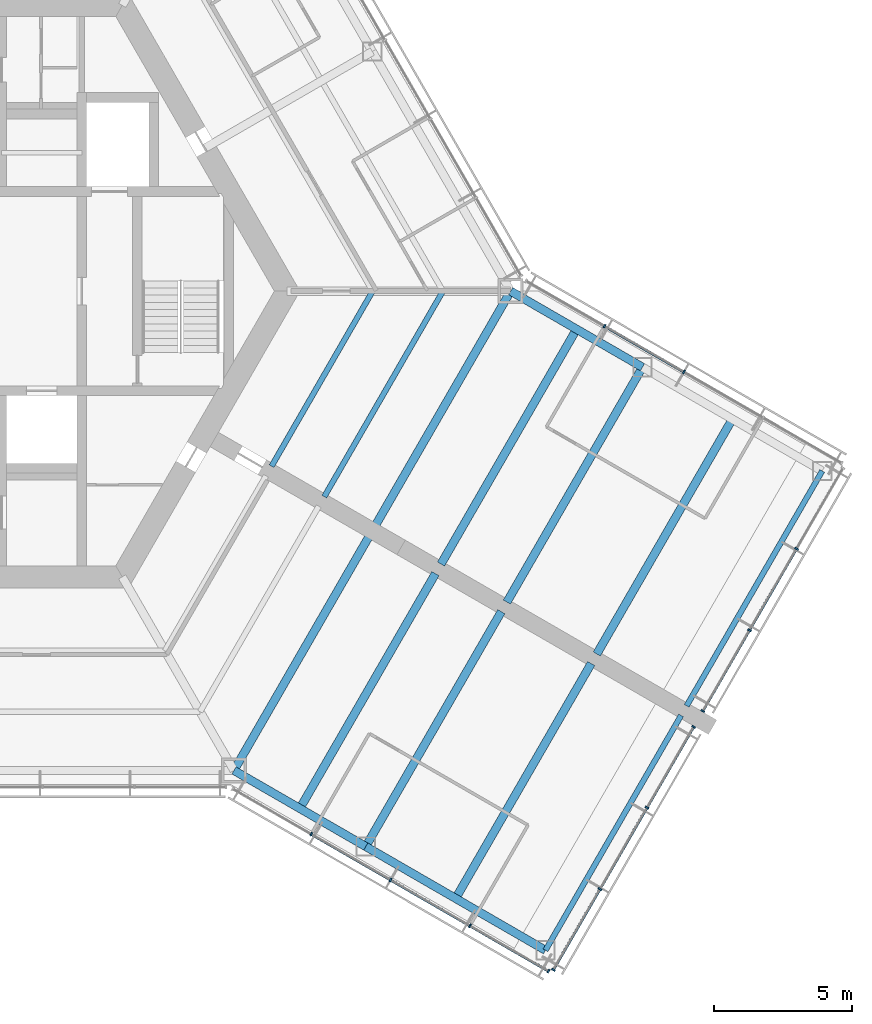
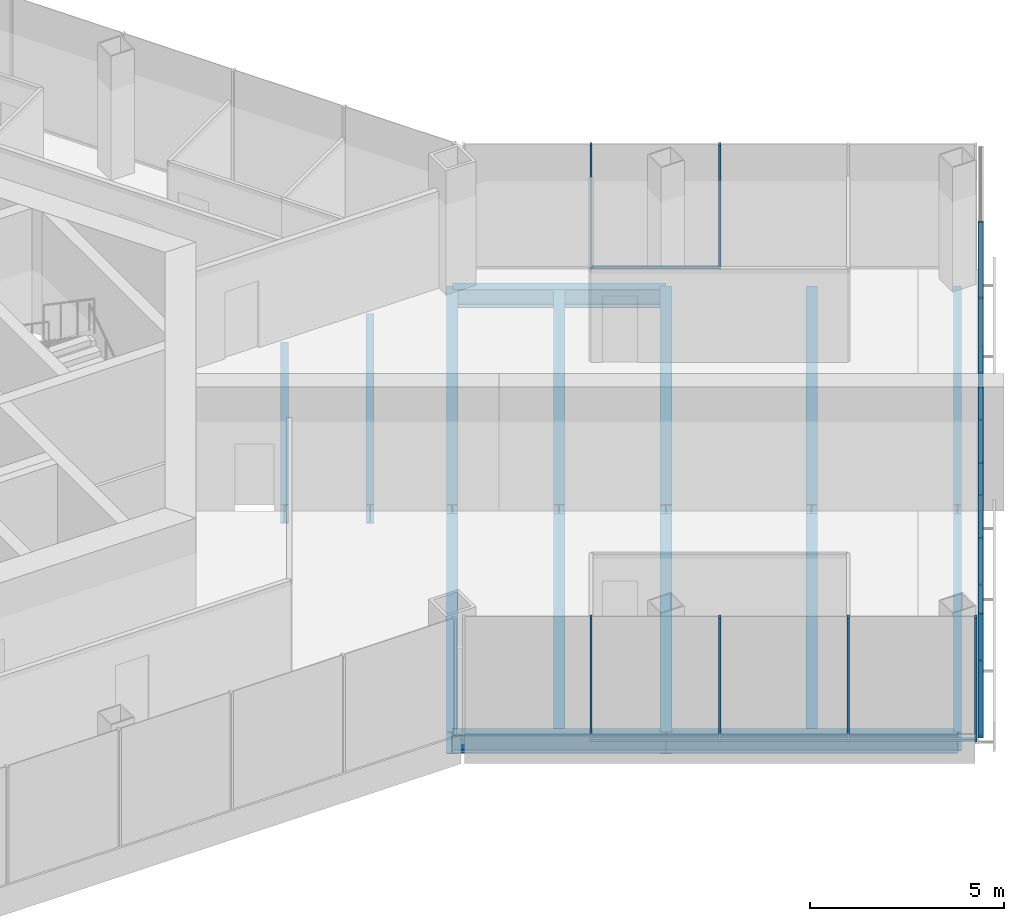
# One storey, part 4 of 15: 22 members, 15 beams, 4 elements without a shape of their own.
"""IFC4 building model written with IfcOpenShell, lengths in metres."""

from ifc_helpers import new_model, si_unit, direction, frame, origin, origin_2d, place, context, subcontext, project, spatial, rectangle, i_section, extrude, material, material_profile, profile_set, type_object, element, aggregate, save


model = new_model("IFC4")

# Units and contexts
model_context = context("Model", 3, precision=1e-05, world=origin(), true_north=direction((0.0, 1.0)))
body_context = subcontext(model_context, "Body", "Model", "MODEL_VIEW")
ifc_project = project(units=[si_unit("LENGTHUNIT", "METRE"), si_unit("AREAUNIT", "SQUARE_METRE"), si_unit("VOLUMEUNIT", "CUBIC_METRE"), si_unit("PLANEANGLEUNIT", "RADIAN"), si_unit("MASSUNIT", "GRAM", prefix="KILO")], contexts=[model_context])

# Site, building, storey
site_placement = place(None, origin())
site = spatial("IfcSite", under=ifc_project, at=site_placement, CompositionType="ELEMENT")
building_placement = place(site_placement, origin())
building = spatial("IfcBuilding", under=site, at=building_placement, Name="Kasaneha Research Tower", CompositionType="ELEMENT")
storey_placement = place(building_placement, frame((0.0, 0.0, 212.800048828125)))
storey = spatial("IfcBuildingStorey", under=building, at=storey_placement, Name="L53", CompositionType="ELEMENT", Elevation=212.800048828125)

# Beams
ifc_material_1 = material(Name="Steel SN490B", Category="steel")
ifc_material_profile_1 = material_profile(ifc_material_1, i_section(OverallWidth=0.199951171875, OverallDepth=0.60009765625, WebThickness=0.010986328125, FlangeThickness=0.01708984375, FilletRadius=0.012939453125, at=origin_2d()), Name="H-600x200x11x17")
ifc_profile_set_1 = profile_set([ifc_material_profile_1], Name="Steel SN490B")
beam_type_1 = type_object("IfcBeamType", Name="B1-3 secondary beam H-600x200x11x17", PredefinedType="JOIST", material=ifc_profile_set_1)
beam_1_placement = place(storey_placement, frame((15.010986328125, 0.0, -0.449951171875), z_axis=(-0.499974128195, -0.866040340363, 0.0), x_axis=(0.866040340363, -0.499974128195, 0.0)))
element("IfcBeam", 1, at=beam_1_placement, inside=storey, type_object=beam_type_1, Name="Secondary beam RS330R1 L53", PredefinedType="JOIST", context=body_context, shape_type="SweptSolid", body=[
    extrude(i_section(OverallWidth=0.199951171875, OverallDepth=0.60009765625, WebThickness=0.010986328125, FlangeThickness=0.01708984375, FilletRadius=0.012939453125, at=origin_2d()), origin(), (0.0, 0.0, 1.0), 7.3056640625),
])
beam_2_placement = place(storey_placement, frame((17.551513671875, 0.0, -0.449951171875), z_axis=(-0.500000102728, -0.866025344474, 0.0), x_axis=(0.866025344474, -0.500000102728, 0.0)))
element("IfcBeam", 2, at=beam_2_placement, inside=storey, type_object=beam_type_1, Name="Secondary beam RS330R2 L53", PredefinedType="JOIST", context=body_context, shape_type="SweptSolid", body=[
    extrude(i_section(OverallWidth=0.199951171875, OverallDepth=0.60009765625, WebThickness=0.010986328125, FlangeThickness=0.01708984375, FilletRadius=0.012939453125, at=origin_2d()), origin(), (0.0, 0.0, 1.0), 8.57568359375),
])
ifc_material_2 = material(Name="Steel SN490B", Category="steel")
ifc_material_profile_2 = material_profile(ifc_material_2, i_section(OverallWidth=0.300048828125, OverallDepth=0.58203125, WebThickness=0.011962890625, FlangeThickness=0.01708984375, FilletRadius=0.012939453125, at=origin_2d()), Name="H-582x300x12x17")
ifc_profile_set_2 = profile_set([ifc_material_profile_2], Name="Steel SN490B")
beam_type_2 = type_object("IfcBeamType", Name="B2-3 secondary beam H-582x300x12x17", PredefinedType="JOIST", material=ifc_profile_set_2)
for number, where, z_axis, x_axis, name in (
    (3, (12.381591796875, -18.695556640625, -0.441162109375), (0.49999201416, 0.866030014362, 0.0), (-0.866030014362, 0.49999201416, 0.0), "Secondary beam WBCP1 L53"),
    (4, (18.0107421875, -21.945556640625, -0.441162109375), (0.49999201416, 0.866030014362, 0.0), (-0.866030014362, 0.49999201416, 0.0), "Secondary beam WBCP2 L53"),
    (5, (22.381591796875, -1.375, -0.441162109375), (-0.49999201416, -0.866030014362, 0.0), (0.866030014362, -0.49999201416, 0.0), "Secondary beam WBCN1 L53"),
    (6, (28.0107421875, -4.625, -0.441162109375), (-0.49999201416, -0.866030014362, 0.0), (0.866030014362, -0.49999201416, 0.0), "Secondary beam WBCN2 L53"),
):
    element("IfcBeam", number, at=place(storey_placement, frame(where, z_axis=z_axis, x_axis=x_axis)), inside=storey, type_object=beam_type_2, Name=name, PredefinedType="JOIST", context=body_context, shape_type="SweptSolid", body=[
        extrude(i_section(OverallWidth=0.300048828125, OverallDepth=0.58203125, WebThickness=0.011962890625, FlangeThickness=0.01708984375, FilletRadius=0.012939453125, at=origin_2d()), origin(), (0.0, 0.0, 1.0), 9.800048828125),
    ])

# Curtain wall, members
ifc_material_3 = material(Name="Glass and aluminium", Category="aluminium")
curtain_wall_type = type_object("IfcCurtainWallType", Name="High-rise office curtain wall", PredefinedType="USERDEFINED", material=ifc_material_3)
curtain_wall_1_placement = place(storey_placement, origin())
curtain_wall_1 = element("IfcCurtainWall", 7, at=curtain_wall_1_placement, inside=storey, type_object=curtain_wall_type, Name="CW-O3 L53 run 06a", ObjectType="UNITISED CURTAIN WALL", PredefinedType="USERDEFINED")
ifc_material_4 = material(Name="Aluminium 6063-T6", Category="aluminium")
ifc_material_profile_3 = material_profile(ifc_material_4, rectangle(XDim=0.06005859375, YDim=0.139892578125, at=origin_2d()), Name="CW-O3 mullion 60x140")
ifc_profile_set_3 = profile_set([ifc_material_profile_3], Name="Aluminium 6063-T6")
member_type_1 = type_object("IfcMemberType", Name="CW-O3 mullion", PredefinedType="MULLION", material=ifc_profile_set_3)
member_1_placement = place(storey_placement, frame((12.792236328125, -19.62548828125, 0.0), z_axis=(0.0, 0.0, 1.0), x_axis=(0.866025411464, -0.499999986699, 0.0)))
member_1 = element("IfcMember", 8, at=member_1_placement, type_object=member_type_1, Name="CW-O3 mullion 2", PredefinedType="MULLION", context=body_context, shape_type="SweptSolid", body=[
    extrude(rectangle(XDim=0.06005859375, YDim=0.139892578125, at=origin_2d()), origin(), (0.0, 0.0, 1.0), 3.89990234375),
])
member_2_placement = place(storey_placement, frame((15.65869140625, -21.2802734375, 0.0), z_axis=(0.0, 0.0, 1.0), x_axis=(0.866025411464, -0.499999986699, 0.0)))
member_2 = element("IfcMember", 9, at=member_2_placement, type_object=member_type_1, Name="CW-O3 mullion 3", PredefinedType="MULLION", context=body_context, shape_type="SweptSolid", body=[
    extrude(rectangle(XDim=0.06005859375, YDim=0.139892578125, at=origin_2d()), origin(), (0.0, 0.0, 1.0), 3.89990234375),
])
member_3_placement = place(storey_placement, frame((18.52490234375, -22.935302734375, 0.0), z_axis=(0.0, 0.0, 1.0), x_axis=(0.866025411464, -0.499999986699, 0.0)))
member_3 = element("IfcMember", 10, at=member_3_placement, type_object=member_type_1, Name="CW-O3 mullion 4", PredefinedType="MULLION", context=body_context, shape_type="SweptSolid", body=[
    extrude(rectangle(XDim=0.06005859375, YDim=0.139892578125, at=origin_2d()), origin(), (0.0, 0.0, 1.0), 3.89990234375),
])
member_4_placement = place(storey_placement, frame((21.365478515625, -24.5751953125, 0.0), z_axis=(0.0, 0.0, 1.0), x_axis=(0.866025411464, -0.499999986699, 0.0)))
member_4 = element("IfcMember", 11, at=member_4_placement, type_object=member_type_1, Name="CW-O3 mullion 5", PredefinedType="MULLION", context=body_context, shape_type="SweptSolid", body=[
    extrude(rectangle(XDim=0.06005859375, YDim=0.139892578125, at=origin_2d()), origin(), (0.0, 0.0, 1.0), 3.89990234375),
])

curtain_wall_2_placement = place(storey_placement, origin())
curtain_wall_2 = element("IfcCurtainWall", 12, at=curtain_wall_2_placement, inside=storey, type_object=curtain_wall_type, Name="CW-O3 L53 run 07a", ObjectType="UNITISED CURTAIN WALL", PredefinedType="USERDEFINED")
member_5_placement = place(storey_placement, frame((21.54296875, -24.527587890625, 0.0), z_axis=(0.0, 0.0, 1.0), x_axis=(0.500000011442, 0.866025397178, 0.0)))
member_5 = element("IfcMember", 13, at=member_5_placement, type_object=member_type_1, Name="CW-O3 mullion 1", PredefinedType="MULLION", context=body_context, shape_type="SweptSolid", body=[
    extrude(rectangle(XDim=0.06005859375, YDim=0.139892578125, at=origin_2d()), origin(), (0.0, 0.0, 1.0), 3.89990234375),
])
member_6_placement = place(storey_placement, frame((23.22802734375, -21.609130859375, 0.0), z_axis=(0.0, 0.0, 1.0), x_axis=(0.500000011442, 0.866025397178, 0.0)))
member_6 = element("IfcMember", 14, at=member_6_placement, type_object=member_type_1, Name="CW-O3 mullion 2", PredefinedType="MULLION", context=body_context, shape_type="SweptSolid", body=[
    extrude(rectangle(XDim=0.06005859375, YDim=0.139892578125, at=origin_2d()), origin(), (0.0, 0.0, 1.0), 3.89990234375),
])
member_7_placement = place(storey_placement, frame((24.927978515625, -18.66455078125, 0.0), z_axis=(0.0, 0.0, 1.0), x_axis=(0.500000011442, 0.866025397178, 0.0)))
member_7 = element("IfcMember", 15, at=member_7_placement, type_object=member_type_1, Name="CW-O3 mullion 3", PredefinedType="MULLION", context=body_context, shape_type="SweptSolid", body=[
    extrude(rectangle(XDim=0.06005859375, YDim=0.139892578125, at=origin_2d()), origin(), (0.0, 0.0, 1.0), 3.89990234375),
])
member_8_placement = place(storey_placement, frame((26.613037109375, -15.74609375, 0.0), z_axis=(0.0, 0.0, 1.0), x_axis=(0.500000011442, 0.866025397178, 0.0)))
member_8 = element("IfcMember", 16, at=member_8_placement, type_object=member_type_1, Name="CW-O3 mullion 4", PredefinedType="MULLION", context=body_context, shape_type="SweptSolid", body=[
    extrude(rectangle(XDim=0.06005859375, YDim=0.139892578125, at=origin_2d()), origin(), (0.0, 0.0, 1.0), 3.89990234375),
])

curtain_wall_3_placement = place(storey_placement, origin())
curtain_wall_3 = element("IfcCurtainWall", 17, at=curtain_wall_3_placement, inside=storey, type_object=curtain_wall_type, Name="CW-O3 L53 run 08a", ObjectType="UNITISED CURTAIN WALL", PredefinedType="USERDEFINED")
member_9_placement = place(storey_placement, frame((26.94287109375, -15.174560546875, 0.0), z_axis=(0.0, 0.0, 1.0), x_axis=(0.500000011442, 0.866025397178, 0.0)))
member_9 = element("IfcMember", 18, at=member_9_placement, type_object=member_type_1, Name="CW-O3 mullion 1", PredefinedType="MULLION", context=body_context, shape_type="SweptSolid", body=[
    extrude(rectangle(XDim=0.06005859375, YDim=0.139892578125, at=origin_2d()), origin(), (0.0, 0.0, 1.0), 3.89990234375),
])
member_10_placement = place(storey_placement, frame((28.6279296875, -12.255859375, 0.0), z_axis=(0.0, 0.0, 1.0), x_axis=(0.500000011442, 0.866025397178, 0.0)))
member_10 = element("IfcMember", 19, at=member_10_placement, type_object=member_type_1, Name="CW-O3 mullion 2", PredefinedType="MULLION", context=body_context, shape_type="SweptSolid", body=[
    extrude(rectangle(XDim=0.06005859375, YDim=0.139892578125, at=origin_2d()), origin(), (0.0, 0.0, 1.0), 3.89990234375),
])
member_11_placement = place(storey_placement, frame((30.327880859375, -9.3115234375, 0.0), z_axis=(0.0, 0.0, 1.0), x_axis=(0.500000011442, 0.866025397178, 0.0)))
member_11 = element("IfcMember", 20, at=member_11_placement, type_object=member_type_1, Name="CW-O3 mullion 3", PredefinedType="MULLION", context=body_context, shape_type="SweptSolid", body=[
    extrude(rectangle(XDim=0.06005859375, YDim=0.139892578125, at=origin_2d()), origin(), (0.0, 0.0, 1.0), 3.89990234375),
])

curtain_wall_4_placement = place(storey_placement, origin())
curtain_wall_4 = element("IfcCurtainWall", 21, at=curtain_wall_4_placement, inside=storey, type_object=curtain_wall_type, Name="CW-O3 L53 run 09a", ObjectType="UNITISED CURTAIN WALL", PredefinedType="USERDEFINED")
member_12_placement = place(storey_placement, frame((26.258544921875, -2.920654296875, 0.0), z_axis=(0.0, 0.0, 1.0), x_axis=(-0.866025411464, 0.499999986699, 0.0)))
member_12 = element("IfcMember", 22, at=member_12_placement, type_object=member_type_1, Name="CW-O3 mullion 3", PredefinedType="MULLION", context=body_context, shape_type="SweptSolid", body=[
    extrude(rectangle(XDim=0.06005859375, YDim=0.139892578125, at=origin_2d()), origin(), (0.0, 0.0, 1.0), 3.89990234375),
])
member_13_placement = place(storey_placement, frame((23.39208984375, -1.265625, 0.0), z_axis=(0.0, 0.0, 1.0), x_axis=(-0.866025411464, 0.499999986699, 0.0)))
member_13 = element("IfcMember", 23, at=member_13_placement, type_object=member_type_1, Name="CW-O3 mullion 4", PredefinedType="MULLION", context=body_context, shape_type="SweptSolid", body=[
    extrude(rectangle(XDim=0.06005859375, YDim=0.139892578125, at=origin_2d()), origin(), (0.0, 0.0, 1.0), 3.89990234375),
])

# Member
ifc_material_5 = material(Name="Aluminium 6063-T6", Category="aluminium")
ifc_material_profile_4 = material_profile(ifc_material_5, rectangle(XDim=0.10009765625, YDim=0.06005859375, at=origin_2d()), Name="CW-O3 transom 100x60")
ifc_profile_set_4 = profile_set([ifc_material_profile_4], Name="Aluminium 6063-T6")
member_type_2 = type_object("IfcMemberType", Name="CW-O3 transom", PredefinedType="USERDEFINED", material=ifc_profile_set_4)
member_14_placement = place(storey_placement, frame((12.818115234375, -19.640380859375, 0.030029296875), z_axis=(0.866015446554, -0.500017246033, 0.0), x_axis=(0.500017246033, 0.866015446554, 0.0)))
member_14 = element("IfcMember", 24, at=member_14_placement, type_object=member_type_2, Name="CW-O3 transom 2", ObjectType="TRANSOM", PredefinedType="USERDEFINED", context=body_context, shape_type="SweptSolid", body=[
    extrude(rectangle(XDim=0.10009765625, YDim=0.06005859375, at=origin_2d()), origin(), (0.0, 0.0, 1.0), 3.25),
])

member_15_placement = place(storey_placement, frame((15.6845703125, -21.29541015625, 0.030029296875), z_axis=(0.86604797581, -0.499960902066, 0.0), x_axis=(0.499960902066, 0.86604797581, 0.0)))
member_15 = element("IfcMember", 25, at=member_15_placement, type_object=member_type_2, Name="CW-O3 transom 3", ObjectType="TRANSOM", PredefinedType="USERDEFINED", context=body_context, shape_type="SweptSolid", body=[
    extrude(rectangle(XDim=0.10009765625, YDim=0.06005859375, at=origin_2d()), origin(), (0.0, 0.0, 1.0), 3.249755859375),
])

member_16_placement = place(storey_placement, frame((18.551025390625, -22.9501953125, 0.030029296875), z_axis=(0.866022692473, -0.500004696101, 0.0), x_axis=(0.500004696101, 0.866022692473, 0.0)))
member_16 = element("IfcMember", 26, at=member_16_placement, type_object=member_type_2, Name="CW-O3 transom 4", ObjectType="TRANSOM", PredefinedType="USERDEFINED", context=body_context, shape_type="SweptSolid", body=[
    extrude(rectangle(XDim=0.10009765625, YDim=0.06005859375, at=origin_2d()), origin(), (0.0, 0.0, 1.0), 3.2197265625),
])

aggregate(curtain_wall_1, [member_1, member_2, member_3, member_4, member_14, member_15, member_16])

member_17_placement = place(storey_placement, frame((21.557861328125, -24.50146484375, 0.030029296875), z_axis=(0.500018282537, 0.866014848099, 0.0), x_axis=(-0.866014848099, 0.500018282537, 0.0)))
member_17 = element("IfcMember", 27, at=member_17_placement, type_object=member_type_2, Name="CW-O3 transom 1", ObjectType="TRANSOM", PredefinedType="USERDEFINED", context=body_context, shape_type="SweptSolid", body=[
    extrude(rectangle(XDim=0.10009765625, YDim=0.06005859375, at=origin_2d()), origin(), (0.0, 0.0, 1.0), 3.31005859375),
])

member_18_placement = place(storey_placement, frame((23.242919921875, -21.5830078125, 0.030029296875), z_axis=(0.499975549825, 0.866039519639, 0.0), x_axis=(-0.866039519639, 0.499975549825, 0.0)))
member_18 = element("IfcMember", 28, at=member_18_placement, type_object=member_type_2, Name="CW-O3 transom 2", ObjectType="TRANSOM", PredefinedType="USERDEFINED", context=body_context, shape_type="SweptSolid", body=[
    extrude(rectangle(XDim=0.10009765625, YDim=0.06005859375, at=origin_2d()), origin(), (0.0, 0.0, 1.0), 3.340087890625),
])

member_19_placement = place(storey_placement, frame((24.94287109375, -18.638671875, 0.030029296875), z_axis=(0.49998634449, 0.866033287653, 0.0), x_axis=(-0.866033287653, 0.49998634449, 0.0)))
member_19 = element("IfcMember", 29, at=member_19_placement, type_object=member_type_2, Name="CW-O3 transom 3", ObjectType="TRANSOM", PredefinedType="USERDEFINED", context=body_context, shape_type="SweptSolid", body=[
    extrude(rectangle(XDim=0.10009765625, YDim=0.06005859375, at=origin_2d()), origin(), (0.0, 0.0, 1.0), 3.31005859375),
])

aggregate(curtain_wall_2, [member_5, member_6, member_7, member_8, member_17, member_18, member_19])

member_20_placement = place(storey_placement, frame((26.9580078125, -15.1484375, 0.030029296875), z_axis=(0.500018282537, 0.866014848099, 0.0), x_axis=(-0.866014848099, 0.500018282537, 0.0)))
member_20 = element("IfcMember", 30, at=member_20_placement, type_object=member_type_2, Name="CW-O3 transom 1", ObjectType="TRANSOM", PredefinedType="USERDEFINED", context=body_context, shape_type="SweptSolid", body=[
    extrude(rectangle(XDim=0.10009765625, YDim=0.06005859375, at=origin_2d()), origin(), (0.0, 0.0, 1.0), 3.31005859375),
])

member_21_placement = place(storey_placement, frame((28.64306640625, -12.22998046875, 0.030029296875), z_axis=(0.499975549825, 0.866039519639, 0.0), x_axis=(-0.866039519639, 0.499975549825, 0.0)))
member_21 = element("IfcMember", 31, at=member_21_placement, type_object=member_type_2, Name="CW-O3 transom 2", ObjectType="TRANSOM", PredefinedType="USERDEFINED", context=body_context, shape_type="SweptSolid", body=[
    extrude(rectangle(XDim=0.10009765625, YDim=0.06005859375, at=origin_2d()), origin(), (0.0, 0.0, 1.0), 3.340087890625),
])

aggregate(curtain_wall_3, [member_9, member_10, member_11, member_20, member_21])

member_22_placement = place(storey_placement, frame((26.232666015625, -2.905517578125, 0.030029296875), z_axis=(-0.86604797581, 0.499960902066, 0.0), x_axis=(-0.499960902066, -0.86604797581, 0.0)))
member_22 = element("IfcMember", 32, at=member_22_placement, type_object=member_type_2, Name="CW-O3 transom 3", ObjectType="TRANSOM", PredefinedType="USERDEFINED", context=body_context, shape_type="SweptSolid", body=[
    extrude(rectangle(XDim=0.10009765625, YDim=0.06005859375, at=origin_2d()), origin(), (0.0, 0.0, 1.0), 3.249755859375),
])

aggregate(curtain_wall_4, [member_12, member_13, member_22])

# Beams
ifc_material_6 = material(Name="Steel SN490B", Category="steel")
ifc_material_profile_5 = material_profile(ifc_material_6, i_section(OverallWidth=0.300048828125, OverallDepth=0.69189453125, WebThickness=0.012939453125, FlangeThickness=0.02001953125, FilletRadius=0.01806640625, at=origin_2d()), Name="H-692x300x13x20")
ifc_profile_set_5 = profile_set([ifc_material_profile_5], Name="Steel SN490B")
beam_type_3 = type_object("IfcBeamType", Name="G3-3 plate edge girder H-692x300x13x20", PredefinedType="BEAM", material=ifc_profile_set_5)
for number, where, z_axis, x_axis, name in (
    (33, (10.0, -17.320556640625, -0.49609375), (0.49999201416, 0.866030014362, 0.0), (-0.866030014362, 0.49999201416, 0.0), "Plate edge girder PECP L53"),
    (34, (20.0, 0.0, -0.49609375), (-0.49999201416, -0.866030014362, 0.0), (0.866030014362, -0.49999201416, 0.0), "Plate edge girder PECN L53"),
):
    element("IfcBeam", number, at=place(storey_placement, frame(where, z_axis=z_axis, x_axis=x_axis)), inside=storey, type_object=beam_type_3, Name=name, PredefinedType="BEAM", context=body_context, shape_type="SweptSolid", body=[
        extrude(i_section(OverallWidth=0.300048828125, OverallDepth=0.69189453125, WebThickness=0.012939453125, FlangeThickness=0.02001953125, FilletRadius=0.01806640625, at=origin_2d()), origin(), (0.0, 0.0, 1.0), 9.800048828125),
    ])
ifc_material_7 = material(Name="Steel SN490B", Category="steel")
ifc_material_profile_6 = material_profile(ifc_material_7, i_section(OverallWidth=0.300048828125, OverallDepth=0.699951171875, WebThickness=0.012939453125, FlangeThickness=0.02392578125, FilletRadius=0.01806640625, at=origin_2d()), Name="H-700x300x13x24")
ifc_profile_set_6 = profile_set([ifc_material_profile_6], Name="Steel SN490B")
beam_type_4 = type_object("IfcBeamType", Name="G4-3 wing girder H-700x300x13x24", PredefinedType="BEAM", material=ifc_profile_set_6)
for number, where, z_axis, x_axis, name in (
    (35, (14.76318359375, -20.070556640625, -0.5), (0.49999201416, 0.866030014362, 0.0), (-0.866030014362, 0.49999201416, 0.0), "Wing girder WGCP L53"),
    (36, (24.76318359375, -2.75, -0.5), (-0.500010698315, -0.866019227021, 0.0), (0.866019227021, -0.500010698315, 0.0), "Wing girder WGCN L53"),
):
    element("IfcBeam", number, at=place(storey_placement, frame(where, z_axis=z_axis, x_axis=x_axis)), inside=storey, type_object=beam_type_4, Name=name, PredefinedType="BEAM", context=body_context, shape_type="SweptSolid", body=[
        extrude(i_section(OverallWidth=0.300048828125, OverallDepth=0.699951171875, WebThickness=0.012939453125, FlangeThickness=0.02392578125, FilletRadius=0.01806640625, at=origin_2d()), origin(), (0.0, 0.0, 1.0), 9.800048828125),
    ])
ifc_material_8 = material(Name="Steel SN490B", Category="steel")
ifc_material_profile_7 = material_profile(ifc_material_8, i_section(OverallWidth=0.300048828125, OverallDepth=0.58203125, WebThickness=0.011962890625, FlangeThickness=0.01708984375, FilletRadius=0.012939453125, at=origin_2d()), Name="H-582x300x12x17")
ifc_profile_set_7 = profile_set([ifc_material_profile_7], Name="Steel SN490B")
beam_type_5 = type_object("IfcBeamType", Name="SB2-3 spandrel beam H-582x300x12x17", PredefinedType="SPANDREL", material=ifc_profile_set_7)
beam_3_placement = place(storey_placement, frame((10.0, -17.320556640625, -0.441162109375), z_axis=(0.866027397988, -0.499996545922, 0.0), x_axis=(0.499996545922, 0.866027397988, 0.0)))
element("IfcBeam", 37, at=beam_3_placement, inside=storey, type_object=beam_type_5, Name="Spandrel beam WSCP1 L53", PredefinedType="SPANDREL", context=body_context, shape_type="SweptSolid", body=[
    extrude(i_section(OverallWidth=0.300048828125, OverallDepth=0.58203125, WebThickness=0.011962890625, FlangeThickness=0.01708984375, FilletRadius=0.012939453125, at=origin_2d()), origin(), (0.0, 0.0, 1.0), 5.5),
])
beam_4_placement = place(storey_placement, frame((14.76318359375, -20.070556640625, -0.441162109375), z_axis=(0.866022959057, -0.500004234368, 0.0), x_axis=(0.500004234368, 0.866022959057, 0.0)))
element("IfcBeam", 38, at=beam_4_placement, inside=storey, type_object=beam_type_5, Name="Spandrel beam WSCP2 L53", PredefinedType="SPANDREL", context=body_context, shape_type="SweptSolid", body=[
    extrude(i_section(OverallWidth=0.300048828125, OverallDepth=0.58203125, WebThickness=0.011962890625, FlangeThickness=0.01708984375, FilletRadius=0.012939453125, at=origin_2d()), origin(), (0.0, 0.0, 1.0), 7.5),
])
beam_5_placement = place(storey_placement, frame((20.0, 0.0, -0.441162109375), z_axis=(0.866027397988, -0.499996545922, 0.0), x_axis=(0.499996545922, 0.866027397988, 0.0)))
element("IfcBeam", 39, at=beam_5_placement, inside=storey, type_object=beam_type_5, Name="Spandrel beam WSCN1 L53", PredefinedType="SPANDREL", context=body_context, shape_type="SweptSolid", body=[
    extrude(i_section(OverallWidth=0.300048828125, OverallDepth=0.58203125, WebThickness=0.011962890625, FlangeThickness=0.01708984375, FilletRadius=0.012939453125, at=origin_2d()), origin(), (0.0, 0.0, 1.0), 5.5),
])
ifc_material_9 = material(Name="Steel SN490B", Category="steel")
ifc_material_profile_8 = material_profile(ifc_material_9, i_section(OverallWidth=0.199951171875, OverallDepth=0.60009765625, WebThickness=0.010986328125, FlangeThickness=0.01708984375, FilletRadius=0.012939453125, at=origin_2d()), Name="H-600x200x11x17")
ifc_profile_set_8 = profile_set([ifc_material_profile_8], Name="Steel SN490B")
beam_type_6 = type_object("IfcBeamType", Name="SB3-3 spandrel beam H-600x200x11x17", PredefinedType="SPANDREL", material=ifc_profile_set_8)
for number, where, z_axis, x_axis, name in (
    (40, (21.25830078125, -23.820556640625, -0.449951171875), (0.500010698315, 0.866019227021, 0.0), (-0.866019227021, 0.500010698315, 0.0), "Spandrel beam WTCP L53"),
    (41, (31.25830078125, -6.5, -0.449951171875), (-0.49999201416, -0.866030014362, 0.0), (0.866030014362, -0.49999201416, 0.0), "Spandrel beam WTCN L53"),
):
    element("IfcBeam", number, at=place(storey_placement, frame(where, z_axis=z_axis, x_axis=x_axis)), inside=storey, type_object=beam_type_6, Name=name, PredefinedType="SPANDREL", context=body_context, shape_type="SweptSolid", body=[
        extrude(i_section(OverallWidth=0.199951171875, OverallDepth=0.60009765625, WebThickness=0.010986328125, FlangeThickness=0.01708984375, FilletRadius=0.012939453125, at=origin_2d()), origin(), (0.0, 0.0, 1.0), 9.800048828125),
    ])

save(model, "model.ifc")
